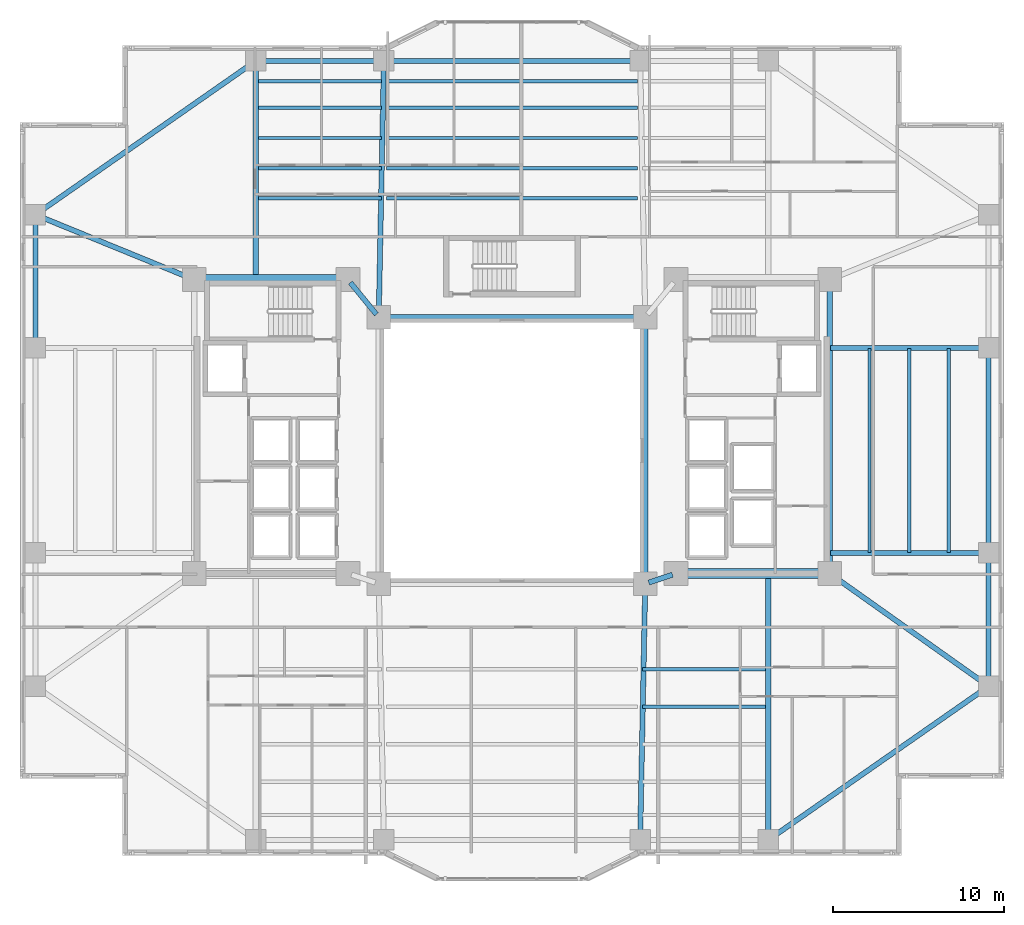
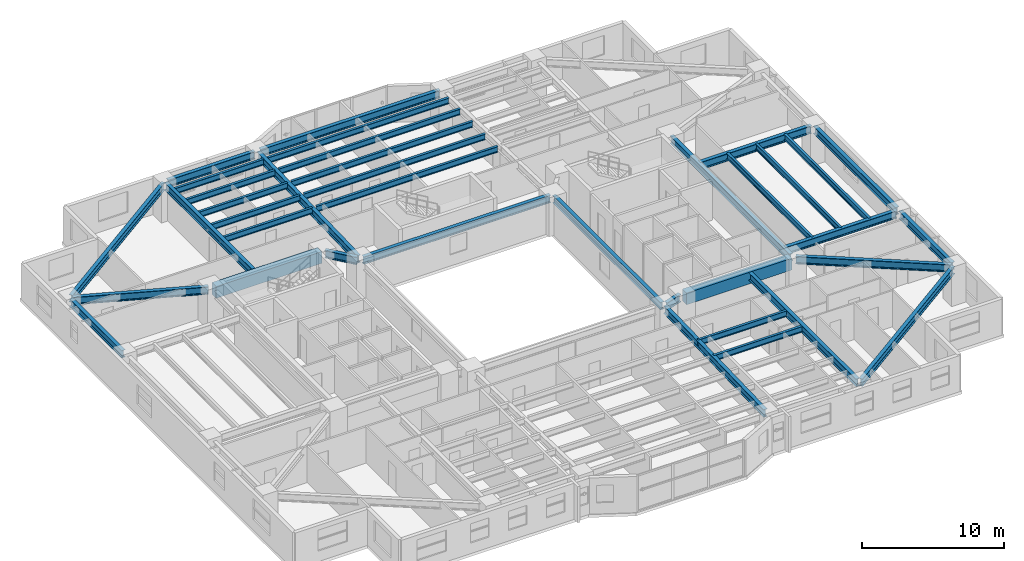
# One storey, part 5 of 20: 37 beams.
"""IFC4 building model written with IfcOpenShell, lengths in metres."""

from ifc_helpers import new_model, si_unit, direction, frame, origin, origin_2d, place, context, subcontext, project, spatial, rectangle, i_section, extrude, material, material_profile, profile_set, type_object, element, save


model = new_model("IFC4")

# Units and contexts
model_context = context("Model", 3, precision=1e-05, world=origin(), true_north=direction((0.0, 1.0)))
body_context = subcontext(model_context, "Body", "Model", "MODEL_VIEW")
ifc_project = project(units=[si_unit("LENGTHUNIT", "METRE"), si_unit("AREAUNIT", "SQUARE_METRE"), si_unit("VOLUMEUNIT", "CUBIC_METRE"), si_unit("PLANEANGLEUNIT", "RADIAN"), si_unit("MASSUNIT", "GRAM", prefix="KILO")], contexts=[model_context])

# Site, building, storey
site_placement = place(None, origin())
site = spatial("IfcSite", under=ifc_project, at=site_placement, CompositionType="ELEMENT")
building_placement = place(site_placement, origin())
building = spatial("IfcBuilding", under=site, at=building_placement, Name="Tarnavaz Court Tower", CompositionType="ELEMENT")
storey_placement = place(building_placement, frame((0.0, 0.0, 34.050048828125)))
storey = spatial("IfcBuildingStorey", under=building, at=storey_placement, Name="L08", CompositionType="ELEMENT", Elevation=34.050048828125)

# Beams
ifc_material_1 = material(Name="Concrete C60/75", Category="concrete")
ifc_material_profile_1 = material_profile(ifc_material_1, rectangle(XDim=0.60009765625, YDim=1.0, at=origin_2d()), Name="RC 600X1000")
ifc_profile_set_1 = profile_set([ifc_material_profile_1], Name="Concrete C60/75")
beam_type_1 = type_object("IfcBeamType", Name="BM-CB1000", PredefinedType="LINTEL", material=ifc_profile_set_1)
for number, where, z_axis, x_axis, name in (
    (1, (-18.3798828125, 10.0, 2.599853515625), (1.0, 0.0, 0.0), (0.0, 1.0, 0.0), "L08 Beam IN-CW-NO-CW-NI"),
    (2, (18.3798828125, -7.199951171875, 2.599853515625), (-1.0, 0.0, 0.0), (0.0, -1.0, 0.0), "L08 Beam IN-CE-SO-CE-SI"),
):
    element("IfcBeam", number, at=place(storey_placement, frame(where, z_axis=z_axis, x_axis=x_axis)), inside=storey, type_object=beam_type_1, Name=name, PredefinedType="LINTEL", context=body_context, shape_type="SweptSolid", body=[
        extrude(rectangle(XDim=0.60009765625, YDim=1.0, at=origin_2d()), origin(), (0.0, 0.0, 1.0), 8.559814453125),
    ])
ifc_material_2 = material(Name="Steel S355", Category="steel")
ifc_material_profile_2 = material_profile(ifc_material_2, i_section(OverallWidth=0.300048828125, OverallDepth=0.64990234375, WebThickness=0.01611328125, FlangeThickness=0.031005859375, FilletRadius=0.027099609375, at=origin_2d()), Name="HEB 650")
ifc_profile_set_2 = profile_set([ifc_material_profile_2], Name="Steel S355")
beam_type_2 = type_object("IfcBeamType", Name="BM-G-HEB650", PredefinedType="USERDEFINED", material=ifc_profile_set_2)
beam_1_placement = place(storey_placement, frame((9.391357421875, -7.26953125, 2.77490234375), z_axis=(-0.948666544706, -0.316278021615, 0.0), x_axis=(0.316278021615, -0.948666544706, 0.0)))
element("IfcBeam", 3, at=beam_1_placement, inside=storey, type_object=beam_type_2, Name="L08 Beam IN-CE-SI-IW-SE", ObjectType="GIRDER", PredefinedType="USERDEFINED", context=body_context, shape_type="SweptSolid", body=[
    extrude(i_section(OverallWidth=0.300048828125, OverallDepth=0.64990234375, WebThickness=0.01611328125, FlangeThickness=0.031005859375, FilletRadius=0.027099609375, at=origin_2d()), origin(), (0.0, 0.0, 1.0), 1.457275390625),
])
beam_2_placement = place(storey_placement, frame((-9.460693359375, 9.82958984375, 2.77490234375), z_axis=(0.633282058357, -0.773921077735, 0.0), x_axis=(0.773921077735, 0.633282058357, 0.0)))
element("IfcBeam", 4, at=beam_2_placement, inside=storey, type_object=beam_type_2, Name="L08 Beam IN-CW-NI-IW-NW", ObjectType="GIRDER", PredefinedType="USERDEFINED", context=body_context, shape_type="SweptSolid", body=[
    extrude(i_section(OverallWidth=0.300048828125, OverallDepth=0.64990234375, WebThickness=0.01611328125, FlangeThickness=0.031005859375, FilletRadius=0.027099609375, at=origin_2d()), origin(), (0.0, 0.0, 1.0), 2.402587890625),
])
beam_3_placement = place(storey_placement, frame((18.60009765625, -6.97998046875, 2.77490234375), z_axis=(0.0, 1.0, 0.0), x_axis=(-1.0, 0.0, 0.0)))
element("IfcBeam", 5, at=beam_3_placement, inside=storey, type_object=beam_type_2, Name="L08 Beam IN-CE-SO-CE-NO", ObjectType="GIRDER", PredefinedType="USERDEFINED", context=body_context, shape_type="SweptSolid", body=[
    extrude(i_section(OverallWidth=0.300048828125, OverallDepth=0.64990234375, WebThickness=0.01611328125, FlangeThickness=0.031005859375, FilletRadius=0.027099609375, at=origin_2d()), origin(), (0.0, 0.0, 1.0), 16.760009765625),
])
beam_4_placement = place(storey_placement, frame((-15.0, 10.0400390625, 2.77490234375), z_axis=(0.0, 1.0, 0.0), x_axis=(-1.0, 0.0, 0.0)))
element("IfcBeam", 6, at=beam_4_placement, inside=storey, type_object=beam_type_2, Name="L08 Beam RG-01", ObjectType="GIRDER", PredefinedType="USERDEFINED", context=body_context, shape_type="SweptSolid", body=[
    extrude(i_section(OverallWidth=0.300048828125, OverallDepth=0.64990234375, WebThickness=0.01611328125, FlangeThickness=0.031005859375, FilletRadius=0.027099609375, at=origin_2d()), origin(), (0.0, 0.0, 1.0), 12.5400390625),
])
for number, where, z_axis, x_axis, name in (
    (7, (-7.795654296875, 8.02001953125, 2.77490234375), (0.020000023066, 0.999799979535, 0.0), (-0.999799979535, 0.020000023066, 0.0), "L08 Beam RG-02"),
    (8, (7.795654296875, -8.02001953125, 2.77490234375), (-0.020000023066, -0.999799979535, 0.0), (0.999799979535, -0.020000023066, 0.0), "L08 Beam RG-07"),
):
    element("IfcBeam", number, at=place(storey_placement, frame(where, z_axis=z_axis, x_axis=x_axis)), inside=storey, type_object=beam_type_2, Name=name, ObjectType="GIRDER", PredefinedType="USERDEFINED", context=body_context, shape_type="SweptSolid", body=[
        extrude(i_section(OverallWidth=0.300048828125, OverallDepth=0.64990234375, WebThickness=0.01611328125, FlangeThickness=0.031005859375, FilletRadius=0.027099609375, at=origin_2d()), origin(), (0.0, 0.0, 1.0), 14.56298828125),
    ])
beam_5_placement = place(storey_placement, frame((15.0, -7.239990234375, 2.77490234375), z_axis=(0.0, -1.0, 0.0), x_axis=(1.0, 0.0, 0.0)))
element("IfcBeam", 9, at=beam_5_placement, inside=storey, type_object=beam_type_2, Name="L08 Beam RG-08", ObjectType="GIRDER", PredefinedType="USERDEFINED", context=body_context, shape_type="SweptSolid", body=[
    extrude(i_section(OverallWidth=0.300048828125, OverallDepth=0.64990234375, WebThickness=0.01611328125, FlangeThickness=0.031005859375, FilletRadius=0.027099609375, at=origin_2d()), origin(), (0.0, 0.0, 1.0), 15.340087890625),
])
for number, where, z_axis, x_axis, name in (
    (10, (18.639892578125, -6.0, 2.77490234375), (1.0, 0.0, 0.0), (0.0, 1.0, 0.0), "L08 Beam RG-09"),
    (11, (18.639892578125, 6.0, 2.77490234375), (1.0, 0.0, 0.0), (0.0, 1.0, 0.0), "L08 Beam RG-10"),
):
    element("IfcBeam", number, at=place(storey_placement, frame(where, z_axis=z_axis, x_axis=x_axis)), inside=storey, type_object=beam_type_2, Name=name, ObjectType="GIRDER", PredefinedType="USERDEFINED", context=body_context, shape_type="SweptSolid", body=[
        extrude(i_section(OverallWidth=0.300048828125, OverallDepth=0.64990234375, WebThickness=0.01611328125, FlangeThickness=0.031005859375, FilletRadius=0.027099609375, at=origin_2d()), origin(), (0.0, 0.0, 1.0), 9.0400390625),
    ])
beam_6_placement = place(storey_placement, frame((18.779296875, -7.327392578125, 2.77490234375), z_axis=(0.815520027245, -0.578728852886, 0.0), x_axis=(0.578728852886, 0.815520027245, 0.0)))
element("IfcBeam", 12, at=beam_6_placement, inside=storey, type_object=beam_type_2, Name="L08 Beam RG-11", ObjectType="GIRDER", PredefinedType="USERDEFINED", context=body_context, shape_type="SweptSolid", body=[
    extrude(i_section(OverallWidth=0.300048828125, OverallDepth=0.64990234375, WebThickness=0.01611328125, FlangeThickness=0.031005859375, FilletRadius=0.027099609375, at=origin_2d()), origin(), (0.0, 0.0, 1.0), 10.964111328125),
])
beam_7_placement = place(storey_placement, frame((-18.8037109375, 10.083251953125, 2.77490234375), z_axis=(-0.925704761705, 0.378246869329, 0.0), x_axis=(-0.378246869329, -0.925704761705, 0.0)))
element("IfcBeam", 13, at=beam_7_placement, inside=storey, type_object=beam_type_2, Name="L08 Beam RG-16", ObjectType="GIRDER", PredefinedType="USERDEFINED", context=body_context, shape_type="SweptSolid", body=[
    extrude(i_section(OverallWidth=0.300048828125, OverallDepth=0.64990234375, WebThickness=0.01611328125, FlangeThickness=0.031005859375, FilletRadius=0.027099609375, at=origin_2d()), origin(), (0.0, 0.0, 1.0), 9.606201171875),
])
ifc_material_profile_3 = material_profile(ifc_material_2, i_section(OverallWidth=0.199951171875, OverallDepth=0.5, WebThickness=0.01025390625, FlangeThickness=0.01611328125, FilletRadius=0.02099609375, at=origin_2d()), Name="IPE 500")
ifc_profile_set_3 = profile_set([ifc_material_profile_3], Name="Steel S355")
beam_type_3 = type_object("IfcBeamType", Name="BM-J-IPE500", PredefinedType="JOIST", material=ifc_profile_set_3)
beam_8_placement = place(storey_placement, frame((-14.85009765625, 14.763916015625, 2.849853515625), z_axis=(1.0, 0.0, 0.0), x_axis=(0.0, 1.0, 0.0)))
element("IfcBeam", 14, at=beam_8_placement, inside=storey, type_object=beam_type_3, Name="L08 Beam JN1-1", PredefinedType="JOIST", context=body_context, shape_type="SweptSolid", body=[
    extrude(i_section(OverallWidth=0.199951171875, OverallDepth=0.5, WebThickness=0.01025390625, FlangeThickness=0.01611328125, FilletRadius=0.02099609375, at=origin_2d()), origin(), (0.0, 0.0, 1.0), 7.2001953125),
])
beam_9_placement = place(storey_placement, frame((-7.35009765625, 14.763916015625, 2.849853515625), z_axis=(1.0, 0.0, 0.0), x_axis=(0.0, 1.0, 0.0)))
element("IfcBeam", 15, at=beam_9_placement, inside=storey, type_object=beam_type_3, Name="L08 Beam JN1-2", PredefinedType="JOIST", context=body_context, shape_type="SweptSolid", body=[
    extrude(i_section(OverallWidth=0.199951171875, OverallDepth=0.5, WebThickness=0.01025390625, FlangeThickness=0.01611328125, FilletRadius=0.02099609375, at=origin_2d()), origin(), (0.0, 0.0, 1.0), 14.7001953125),
])
for number, where, z_axis, x_axis, name in (
    (16, (7.64990234375, -12.7958984375, 2.849853515625), (1.0, 0.0, 0.0), (0.0, 1.0, 0.0), "L08 Beam JS1-3"),
    (17, (-14.85009765625, 16.528076171875, 2.849853515625), (1.0, 0.0, 0.0), (0.0, 1.0, 0.0), "L08 Beam JN2-1"),
):
    element("IfcBeam", number, at=place(storey_placement, frame(where, z_axis=z_axis, x_axis=x_axis)), inside=storey, type_object=beam_type_3, Name=name, PredefinedType="JOIST", context=body_context, shape_type="SweptSolid", body=[
        extrude(i_section(OverallWidth=0.199951171875, OverallDepth=0.5, WebThickness=0.01025390625, FlangeThickness=0.01611328125, FilletRadius=0.02099609375, at=origin_2d()), origin(), (0.0, 0.0, 1.0), 7.2001953125),
    ])
beam_10_placement = place(storey_placement, frame((-7.35009765625, 16.528076171875, 2.849853515625), z_axis=(1.0, 0.0, 0.0), x_axis=(0.0, 1.0, 0.0)))
element("IfcBeam", 18, at=beam_10_placement, inside=storey, type_object=beam_type_3, Name="L08 Beam JN2-2", PredefinedType="JOIST", context=body_context, shape_type="SweptSolid", body=[
    extrude(i_section(OverallWidth=0.199951171875, OverallDepth=0.5, WebThickness=0.01025390625, FlangeThickness=0.01611328125, FilletRadius=0.02099609375, at=origin_2d()), origin(), (0.0, 0.0, 1.0), 14.7001953125),
])
for number, where, z_axis, x_axis, name in (
    (19, (7.64990234375, -14.991943359375, 2.849853515625), (1.0, 0.0, 0.0), (0.0, 1.0, 0.0), "L08 Beam JS2-3"),
    (20, (-14.85009765625, 18.2919921875, 2.849853515625), (1.0, 0.0, 0.0), (0.0, 1.0, 0.0), "L08 Beam JN3-1"),
):
    element("IfcBeam", number, at=place(storey_placement, frame(where, z_axis=z_axis, x_axis=x_axis)), inside=storey, type_object=beam_type_3, Name=name, PredefinedType="JOIST", context=body_context, shape_type="SweptSolid", body=[
        extrude(i_section(OverallWidth=0.199951171875, OverallDepth=0.5, WebThickness=0.01025390625, FlangeThickness=0.01611328125, FilletRadius=0.02099609375, at=origin_2d()), origin(), (0.0, 0.0, 1.0), 7.2001953125),
    ])
beam_11_placement = place(storey_placement, frame((-7.35009765625, 18.2919921875, 2.849853515625), z_axis=(1.0, 0.0, 0.0), x_axis=(0.0, 1.0, 0.0)))
element("IfcBeam", 21, at=beam_11_placement, inside=storey, type_object=beam_type_3, Name="L08 Beam JN3-2", PredefinedType="JOIST", context=body_context, shape_type="SweptSolid", body=[
    extrude(i_section(OverallWidth=0.199951171875, OverallDepth=0.5, WebThickness=0.01025390625, FlangeThickness=0.01611328125, FilletRadius=0.02099609375, at=origin_2d()), origin(), (0.0, 0.0, 1.0), 14.7001953125),
])
beam_12_placement = place(storey_placement, frame((-14.85009765625, 20.055908203125, 2.849853515625), z_axis=(1.0, 0.0, 0.0), x_axis=(0.0, 1.0, 0.0)))
element("IfcBeam", 22, at=beam_12_placement, inside=storey, type_object=beam_type_3, Name="L08 Beam JN4-1", PredefinedType="JOIST", context=body_context, shape_type="SweptSolid", body=[
    extrude(i_section(OverallWidth=0.199951171875, OverallDepth=0.5, WebThickness=0.01025390625, FlangeThickness=0.01611328125, FilletRadius=0.02099609375, at=origin_2d()), origin(), (0.0, 0.0, 1.0), 7.2001953125),
])
beam_13_placement = place(storey_placement, frame((-7.35009765625, 20.055908203125, 2.849853515625), z_axis=(1.0, 0.0, 0.0), x_axis=(0.0, 1.0, 0.0)))
element("IfcBeam", 23, at=beam_13_placement, inside=storey, type_object=beam_type_3, Name="L08 Beam JN4-2", PredefinedType="JOIST", context=body_context, shape_type="SweptSolid", body=[
    extrude(i_section(OverallWidth=0.199951171875, OverallDepth=0.5, WebThickness=0.01025390625, FlangeThickness=0.01611328125, FilletRadius=0.02099609375, at=origin_2d()), origin(), (0.0, 0.0, 1.0), 14.7001953125),
])
beam_14_placement = place(storey_placement, frame((-14.85009765625, 21.6240234375, 2.849853515625), z_axis=(1.0, 0.0, 0.0), x_axis=(0.0, 1.0, 0.0)))
element("IfcBeam", 24, at=beam_14_placement, inside=storey, type_object=beam_type_3, Name="L08 Beam JN5-1", PredefinedType="JOIST", context=body_context, shape_type="SweptSolid", body=[
    extrude(i_section(OverallWidth=0.199951171875, OverallDepth=0.5, WebThickness=0.01025390625, FlangeThickness=0.01611328125, FilletRadius=0.02099609375, at=origin_2d()), origin(), (0.0, 0.0, 1.0), 7.2001953125),
])
beam_15_placement = place(storey_placement, frame((-7.35009765625, 21.6240234375, 2.849853515625), z_axis=(1.0, 0.0, 0.0), x_axis=(0.0, 1.0, 0.0)))
element("IfcBeam", 25, at=beam_15_placement, inside=storey, type_object=beam_type_3, Name="L08 Beam JN5-2", PredefinedType="JOIST", context=body_context, shape_type="SweptSolid", body=[
    extrude(i_section(OverallWidth=0.199951171875, OverallDepth=0.5, WebThickness=0.01025390625, FlangeThickness=0.01611328125, FilletRadius=0.02099609375, at=origin_2d()), origin(), (0.0, 0.0, 1.0), 14.7001953125),
])
for number, where, z_axis, x_axis, name in (
    (26, (20.925048828125, -5.9599609375, 2.849853515625), (0.0, 1.0, 0.0), (-1.0, 0.0, 0.0), "L08 Beam JE1"),
    (27, (23.25, -5.9599609375, 2.849853515625), (0.0, 1.0, 0.0), (-1.0, 0.0, 0.0), "L08 Beam JE2"),
    (28, (25.574951171875, -5.9599609375, 2.849853515625), (0.0, 1.0, 0.0), (-1.0, 0.0, 0.0), "L08 Beam JE3"),
):
    element("IfcBeam", number, at=place(storey_placement, frame(where, z_axis=z_axis, x_axis=x_axis)), inside=storey, type_object=beam_type_3, Name=name, PredefinedType="JOIST", context=body_context, shape_type="SweptSolid", body=[
        extrude(i_section(OverallWidth=0.199951171875, OverallDepth=0.5, WebThickness=0.01025390625, FlangeThickness=0.01611328125, FilletRadius=0.02099609375, at=origin_2d()), origin(), (0.0, 0.0, 1.0), 11.919921875),
    ])
ifc_material_profile_4 = material_profile(ifc_material_2, i_section(OverallWidth=0.300048828125, OverallDepth=0.639892578125, WebThickness=0.013427734375, FlangeThickness=0.02587890625, FilletRadius=0.027099609375, at=origin_2d()), Name="HEA 650")
ifc_profile_set_4 = profile_set([ifc_material_profile_4], Name="Steel S355")
beam_type_4 = type_object("IfcBeamType", Name="BM-SP-HEA650", PredefinedType="SPANDREL", material=ifc_profile_set_4)
for number, where, z_axis, x_axis, name in (
    (29, (-7.580078125, 7.800048828125, 2.780029296875), (1.0, 0.0, 0.0), (0.0, 1.0, 0.0), "L08 Beam IN-IW-NW-IW-NE"),
    (30, (7.800048828125, -7.580078125, 2.780029296875), (0.0, 1.0, 0.0), (-1.0, 0.0, 0.0), "L08 Beam IN-IW-SE-IW-NE"),
):
    element("IfcBeam", number, at=place(storey_placement, frame(where, z_axis=z_axis, x_axis=x_axis)), inside=storey, type_object=beam_type_4, Name=name, PredefinedType="SPANDREL", context=body_context, shape_type="SweptSolid", body=[
        extrude(i_section(OverallWidth=0.300048828125, OverallDepth=0.639892578125, WebThickness=0.013427734375, FlangeThickness=0.02587890625, FilletRadius=0.027099609375, at=origin_2d()), origin(), (0.0, 0.0, 1.0), 15.16015625),
    ])
beam_16_placement = place(storey_placement, frame((-14.780029296875, 22.800048828125, 2.780029296875), z_axis=(1.0, 0.0, 0.0), x_axis=(0.0, 1.0, 0.0)))
element("IfcBeam", 31, at=beam_16_placement, inside=storey, type_object=beam_type_4, Name="L08 Beam PR-PN-1-PN-2", PredefinedType="SPANDREL", context=body_context, shape_type="SweptSolid", body=[
    extrude(i_section(OverallWidth=0.300048828125, OverallDepth=0.639892578125, WebThickness=0.013427734375, FlangeThickness=0.02587890625, FilletRadius=0.027099609375, at=origin_2d()), origin(), (0.0, 0.0, 1.0), 7.06005859375),
])
beam_17_placement = place(storey_placement, frame((-7.280029296875, 22.800048828125, 2.780029296875), z_axis=(1.0, 0.0, 0.0), x_axis=(0.0, 1.0, 0.0)))
element("IfcBeam", 32, at=beam_17_placement, inside=storey, type_object=beam_type_4, Name="L08 Beam PR-PN-2-PN-3", PredefinedType="SPANDREL", context=body_context, shape_type="SweptSolid", body=[
    extrude(i_section(OverallWidth=0.300048828125, OverallDepth=0.639892578125, WebThickness=0.013427734375, FlangeThickness=0.02587890625, FilletRadius=0.027099609375, at=origin_2d()), origin(), (0.0, 0.0, 1.0), 14.56005859375),
])
beam_18_placement = place(storey_placement, frame((27.89990234375, -13.580078125, 2.780029296875), z_axis=(0.0, 1.0, 0.0), x_axis=(-1.0, 0.0, 0.0)))
element("IfcBeam", 33, at=beam_18_placement, inside=storey, type_object=beam_type_4, Name="L08 Beam PR-PE-1-PE-2", PredefinedType="SPANDREL", context=body_context, shape_type="SweptSolid", body=[
    extrude(i_section(OverallWidth=0.300048828125, OverallDepth=0.639892578125, WebThickness=0.013427734375, FlangeThickness=0.02587890625, FilletRadius=0.027099609375, at=origin_2d()), origin(), (0.0, 0.0, 1.0), 7.360107421875),
])
beam_19_placement = place(storey_placement, frame((27.89990234375, -5.780029296875, 2.780029296875), z_axis=(0.0, 1.0, 0.0), x_axis=(-1.0, 0.0, 0.0)))
element("IfcBeam", 34, at=beam_19_placement, inside=storey, type_object=beam_type_4, Name="L08 Beam PR-PE-2-PE-3", PredefinedType="SPANDREL", context=body_context, shape_type="SweptSolid", body=[
    extrude(i_section(OverallWidth=0.300048828125, OverallDepth=0.639892578125, WebThickness=0.013427734375, FlangeThickness=0.02587890625, FilletRadius=0.027099609375, at=origin_2d()), origin(), (0.0, 0.0, 1.0), 11.56005859375),
])
beam_20_placement = place(storey_placement, frame((-27.89990234375, 6.219970703125, 2.780029296875), z_axis=(0.0, 1.0, 0.0), x_axis=(-1.0, 0.0, 0.0)))
element("IfcBeam", 35, at=beam_20_placement, inside=storey, type_object=beam_type_4, Name="L08 Beam PR-PW-3-PW-4", PredefinedType="SPANDREL", context=body_context, shape_type="SweptSolid", body=[
    extrude(i_section(OverallWidth=0.300048828125, OverallDepth=0.639892578125, WebThickness=0.013427734375, FlangeThickness=0.02587890625, FilletRadius=0.027099609375, at=origin_2d()), origin(), (0.0, 0.0, 1.0), 7.360107421875),
])
for number, where, z_axis, x_axis, name in (
    (36, (27.719482421875, -13.92578125, 2.780029296875), (-0.820123643324, -0.572186341729, 0.0), (0.572186341729, -0.820123643324, 0.0), "L08 Beam PR-PE-1-PS-4"),
    (37, (-27.719482421875, 13.92578125, 2.780029296875), (0.820123643324, 0.572186341729, 0.0), (-0.572186341729, 0.820123643324, 0.0), "L08 Beam PR-PW-4-PN-1"),
):
    element("IfcBeam", number, at=place(storey_placement, frame(where, z_axis=z_axis, x_axis=x_axis)), inside=storey, type_object=beam_type_4, Name=name, PredefinedType="SPANDREL", context=body_context, shape_type="SweptSolid", body=[
        extrude(i_section(OverallWidth=0.300048828125, OverallDepth=0.639892578125, WebThickness=0.013427734375, FlangeThickness=0.02587890625, FilletRadius=0.027099609375, at=origin_2d()), origin(), (0.0, 0.0, 1.0), 15.289306640625),
    ])

save(model, "model.ifc")
